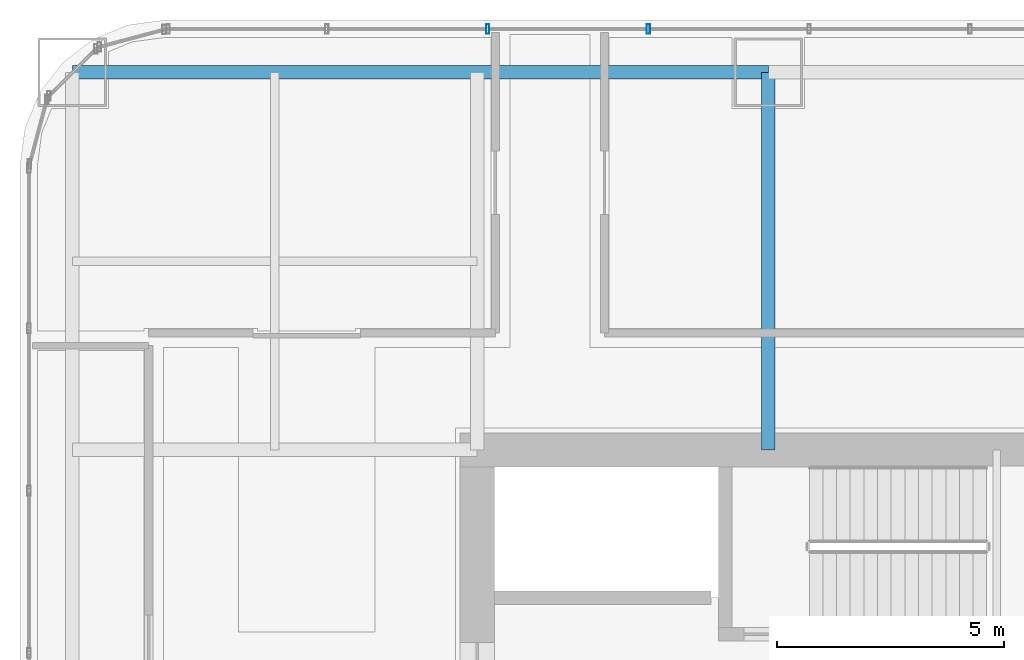
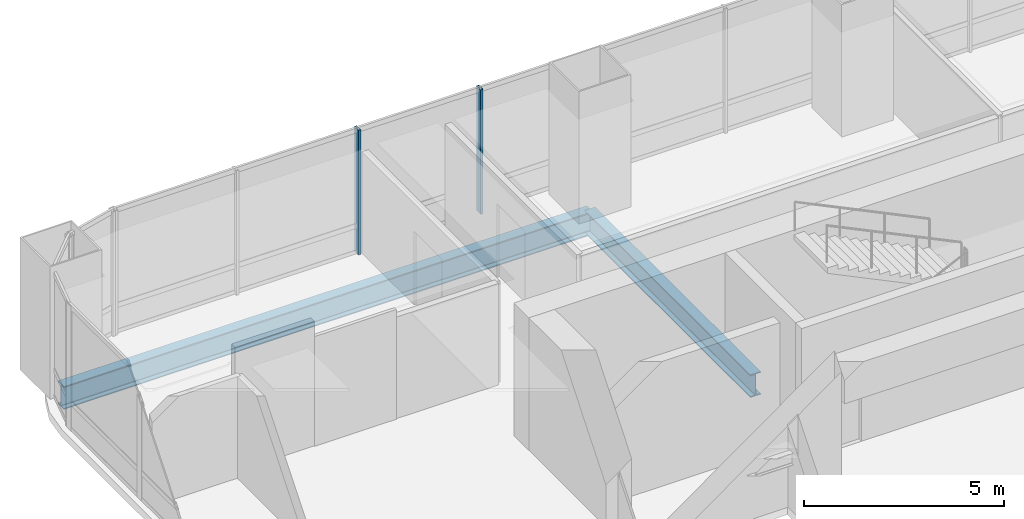
# One storey, part 19 of 35: 2 beams, 2 members, 1 element without a shape of its own.
"""IFC4 building model written with IfcOpenShell, lengths in metres."""

from ifc_helpers import new_model, si_unit, direction, frame, origin, origin_2d, place, context, subcontext, project, spatial, hollow_rectangle, i_section, extrude, material, material_profile, profile_set, type_object, element, aggregate, save


model = new_model("IFC4")

# Units and contexts
model_context = context("Model", 3, precision=1e-05, world=origin(), true_north=direction((0.0, 1.0)))
body_context = subcontext(model_context, "Body", "Model", "MODEL_VIEW")
ifc_project = project(units=[si_unit("LENGTHUNIT", "METRE"), si_unit("AREAUNIT", "SQUARE_METRE"), si_unit("VOLUMEUNIT", "CUBIC_METRE"), si_unit("PLANEANGLEUNIT", "RADIAN"), si_unit("MASSUNIT", "GRAM", prefix="KILO")], contexts=[model_context])

# Site, building, storey
site_placement = place(None, origin())
site = spatial("IfcSite", under=ifc_project, at=site_placement, CompositionType="ELEMENT")
building_placement = place(site_placement, origin())
building = spatial("IfcBuilding", under=site, at=building_placement, Name="Punatoya Terracotta Tower", CompositionType="ELEMENT")
storey_placement = place(building_placement, frame((0.0, 0.0, 72.75)))
storey = spatial("IfcBuildingStorey", under=building, at=storey_placement, Name="L16", CompositionType="ELEMENT", Elevation=72.75)

# Beams
ifc_material_1 = material(Name="Steel S355", Category="steel")
ifc_material_profile_1 = material_profile(ifc_material_1, i_section(OverallWidth=0.300048828125, OverallDepth=0.699951171875, WebThickness=0.01708984375, FlangeThickness=0.031982421875, FilletRadius=0.01806640625, at=origin_2d()))
ifc_profile_set_1 = profile_set([ifc_material_profile_1], Name="Steel S355")
beam_type = type_object("IfcBeamType", Name="BM-PRI-700", PredefinedType="BEAM", material=ifc_profile_set_1)
beam_1_placement = place(storey_placement, frame((-19.10009765625, 17.5, -0.590087890625), z_axis=(1.0, 0.0, 0.0), x_axis=(0.0, 1.0, 0.0)))
element("IfcBeam", 1, at=beam_1_placement, inside=storey, type_object=beam_type, Name="BM-L16-RG-N1", PredefinedType="BEAM", context=body_context, shape_type="SweptSolid", body=[
    extrude(i_section(OverallWidth=0.300048828125, OverallDepth=0.699951171875, WebThickness=0.01708984375, FlangeThickness=0.031982421875, FilletRadius=0.01806640625, at=origin_2d()), origin(), (0.0, 0.0, 1.0), 15.300048828125),
])
beam_2_placement = place(storey_placement, frame((-3.800048828125, 9.199951171875, -0.590087890625), z_axis=(0.0, 1.0, 0.0), x_axis=(-1.0, 0.0, 0.0)))
element("IfcBeam", 2, at=beam_2_placement, inside=storey, type_object=beam_type, Name="BM-L16-PR-N2", PredefinedType="BEAM", context=body_context, shape_type="SweptSolid", body=[
    extrude(i_section(OverallWidth=0.300048828125, OverallDepth=0.699951171875, WebThickness=0.01708984375, FlangeThickness=0.031982421875, FilletRadius=0.01806640625, at=origin_2d()), origin(), (0.0, 0.0, 1.0), 8.300048828125),
])

# Curtain wall, members
ifc_material_2 = material(Name="Aluminium 6063-T6 + Double Low-E Glass", Category="aluminium")
curtain_wall_type = type_object("IfcCurtainWallType", Name="CW-M1", PredefinedType="NOTDEFINED", material=ifc_material_2)
curtain_wall_placement = place(storey_placement, origin())
curtain_wall = element("IfcCurtainWall", 3, at=curtain_wall_placement, inside=storey, type_object=curtain_wall_type, Name="L16 Curtain Wall CW-L16-N09-1", PredefinedType="NOTDEFINED")
ifc_material_3 = material(Name="Aluminium 6063-T6", Category="aluminium")
ifc_material_profile_2 = material_profile(ifc_material_3, hollow_rectangle(XDim=0.074951171875, YDim=0.2099609375, WallThickness=0.00439453125, at=origin_2d()))
ifc_profile_set_2 = profile_set([ifc_material_profile_2], Name="Aluminium 6063-T6")
member_type = type_object("IfcMemberType", Name="CW-MUL-M1", PredefinedType="MULLION", material=ifc_profile_set_2)
member_1_placement = place(storey_placement, frame((-6.43505859375, 18.449951171875, 0.0), z_axis=(0.0, 0.0, 1.0), x_axis=(1.0, 0.0, 0.0)))
member_1 = element("IfcMember", 4, at=member_1_placement, type_object=member_type, Name="CW-L16-N09-1 Mullion 08", PredefinedType="MULLION", context=body_context, shape_type="SweptSolid", body=[
    extrude(hollow_rectangle(XDim=0.074951171875, YDim=0.2099609375, WallThickness=0.00439453125, at=origin_2d()), origin(), (0.0, 0.0, 1.0), 3.81005859375),
])
member_2_placement = place(storey_placement, frame((-9.968994140625, 18.449951171875, 0.0), z_axis=(0.0, 0.0, 1.0), x_axis=(1.0, 0.0, 0.0)))
member_2 = element("IfcMember", 5, at=member_2_placement, type_object=member_type, Name="CW-L16-N09-1 Mullion 09", PredefinedType="MULLION", context=body_context, shape_type="SweptSolid", body=[
    extrude(hollow_rectangle(XDim=0.074951171875, YDim=0.2099609375, WallThickness=0.00439453125, at=origin_2d()), origin(), (0.0, 0.0, 1.0), 3.81005859375),
])
aggregate(curtain_wall, [member_1, member_2])

save(model, "model.ifc")
